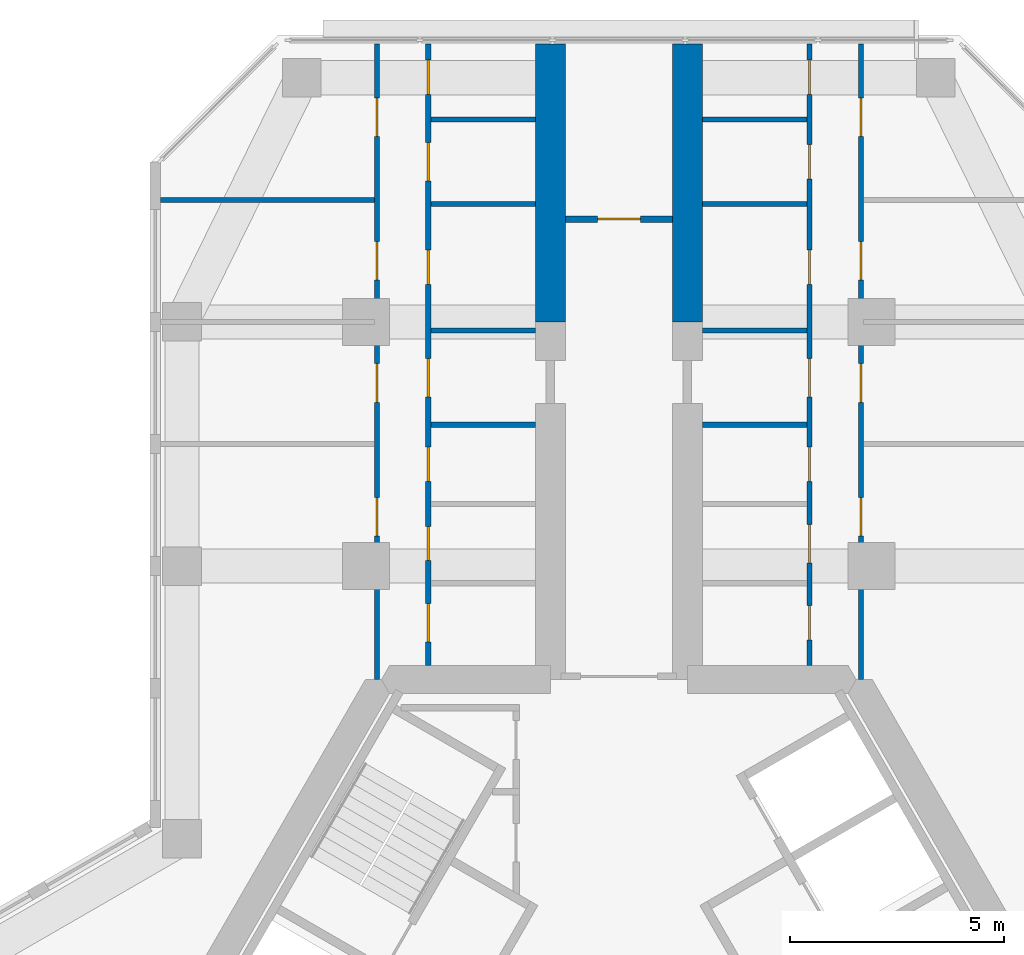
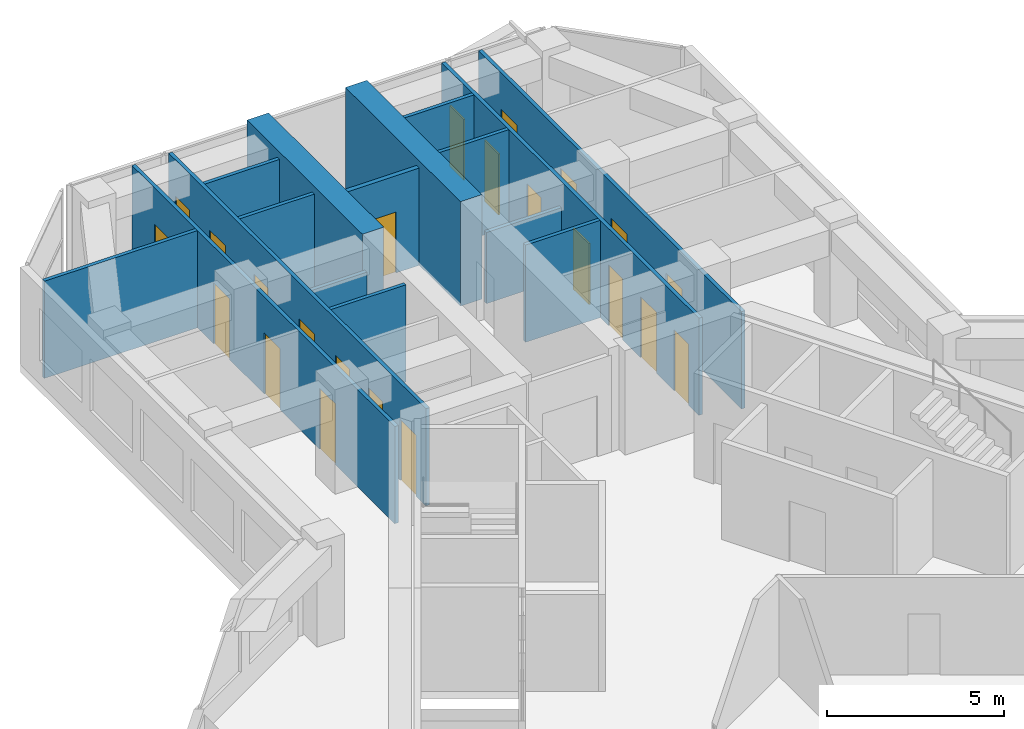
# One storey, part 14 of 16: 23 doors, 16 walls, 23 openings.
"""IFC4 building model written with IfcOpenShell, lengths in metres."""

import ifcopenshell
import ifcopenshell.guid

model = None  # the IFC model being written
_history = None  # IfcOwnerHistory: only IFC2X3 demands one
_inside = {}  # id of a spatial element -> (the spatial element, [elements in it])
_under = {}  # id of a project, library or spatial element -> (it, [spatial elements below it])
_declared = {}  # id of a project -> (the project, [libraries it declares])
_typed = {}  # id of a type object -> (the type object, [elements of that type])
_made_of = {}  # id of a material, layer set ... -> (it, [elements and type objects made of it])


def new_model(schema):
    """Start an empty IFC model of exactly this schema.

    Asked for "IFC4X3", IfcOpenShell would pick the latest addendum, in which some entities
    have other attributes; the version numbers below select the first issue.
    IFC2X3 requires an IfcOwnerHistory on every rooted entity: one is made here for all.
    """
    global model, _history
    if schema == "IFC4X3":
        model = ifcopenshell.file(schema_version=(4, 3, 0, 0))
    else:
        model = ifcopenshell.file(schema=schema)
    _inside.clear()
    _under.clear()
    _declared.clear()
    _typed.clear()
    _made_of.clear()
    _history = None
    if model.schema == "IFC2X3":
        org = make("IfcOrganization", Name="unknown")
        user = make(
            "IfcPersonAndOrganization",
            ThePerson=make("IfcPerson", FamilyName="unknown"),
            TheOrganization=org,
        )
        app = make(
            "IfcApplication",
            ApplicationDeveloper=org,
            Version="unknown",
            ApplicationFullName="unknown",
            ApplicationIdentifier="unknown",
        )
        _history = make(
            "IfcOwnerHistory",
            OwningUser=user,
            OwningApplication=app,
            ChangeAction="ADDED",
            CreationDate=0,
        )
    return model


def make(cls, **values):
    """One entity of the class cls with the attributes given. An attribute that is None is left unset."""
    return model.create_entity(
        cls, **{name: value for name, value in values.items() if value is not None}
    )


def rooted(cls, **values):
    """An entity with a GlobalId (a new one), such as an element, a storey or a relation."""
    return make(cls, GlobalId=ifcopenshell.guid.new(), OwnerHistory=_history, **values)


def si_unit(unit_type, name, prefix=None):
    """IfcSIUnit, for example si_unit("LENGTHUNIT", "METRE", prefix="MILLI")."""
    return make("IfcSIUnit", UnitType=unit_type, Prefix=prefix, Name=name)


def assignment(units):
    """IfcUnitAssignment: the units of a project."""
    return None if units is None else make("IfcUnitAssignment", Units=units)


def point(xyz):
    """IfcCartesianPoint."""
    return None if xyz is None else make("IfcCartesianPoint", Coordinates=xyz)


def direction(xyz):
    """IfcDirection."""
    return None if xyz is None else make("IfcDirection", DirectionRatios=xyz)


def frame(location, z_axis=None, x_axis=None):
    """IfcAxis2Placement3D, a coordinate frame: its origin and axes. An axis left out is left unset."""
    return make(
        "IfcAxis2Placement3D",
        Location=point(location),
        Axis=direction(z_axis),
        RefDirection=direction(x_axis),
    )


def frame_2d(location, x_axis=None):
    """IfcAxis2Placement2D, a coordinate frame in the plane: its origin and x axis."""
    return make(
        "IfcAxis2Placement2D", Location=point(location), RefDirection=direction(x_axis)
    )


def origin():
    """The frame at (0, 0, 0) with its axes left unset."""
    return frame((0.0, 0.0, 0.0))


def place(relative_to, where):
    """IfcLocalPlacement: puts the frame where relative to a parent placement (None: the world)."""
    return make(
        "IfcLocalPlacement", PlacementRelTo=relative_to, RelativePlacement=where
    )


def context(
    kind, dimensions, precision=None, world=None, true_north=None, identifier=None
):
    """IfcGeometricRepresentationContext, for example the 3D "Model" context."""
    return make(
        "IfcGeometricRepresentationContext",
        ContextIdentifier=identifier,
        ContextType=kind,
        CoordinateSpaceDimension=dimensions,
        Precision=precision,
        WorldCoordinateSystem=world,
        TrueNorth=true_north,
    )


def subcontext(parent, identifier, kind, view, scale=None):
    """IfcGeometricRepresentationSubContext, for example "Body" below "Model"."""
    return make(
        "IfcGeometricRepresentationSubContext",
        ContextIdentifier=identifier,
        ContextType=kind,
        ParentContext=parent,
        TargetScale=scale,
        TargetView=view,
    )


def project(units=None, contexts=None):
    """IfcProject with its units and contexts."""
    return rooted(
        "IfcProject",
        Name="project",
        RepresentationContexts=contexts,
        UnitsInContext=assignment(units),
    )


def spatial(cls, under=None, at=None, **own):
    """A site, building, storey or space (cls), placed at a placement, below another one or the project."""
    s = rooted(cls, ObjectPlacement=at, **own)
    if under is not None:
        _under.setdefault(under.id(), (under, []))[1].append(s)
    return s


def profile(cls, at=None, kind="AREA", **sizes):
    """A parametric profile (cls). Its sizes go by their IFC names, for example OverallWidth=200.0."""
    return make(cls, ProfileType=kind, Position=at, **sizes)


def rectangle(**sizes):
    """IfcRectangleProfileDef."""
    return profile("IfcRectangleProfileDef", **sizes)


def extrude(swept, where, along, depth):
    """IfcExtrudedAreaSolid: the profile swept, set in the frame where, extruded along a direction by depth."""
    return make(
        "IfcExtrudedAreaSolid",
        SweptArea=swept,
        Position=where,
        ExtrudedDirection=direction(along),
        Depth=depth,
    )


def shape(context_of_items, identifier, shape_type, items):
    """IfcShapeRepresentation: the items that make up one representation, for example the "Body"."""
    return make(
        "IfcShapeRepresentation",
        ContextOfItems=context_of_items,
        RepresentationIdentifier=identifier,
        RepresentationType=shape_type,
        Items=items,
    )


def material(Name=None, Category=None):
    """IfcMaterial."""
    return make("IfcMaterial", Name=Name, Category=Category)


def layer(
    of_material, thickness, ventilated=None, Name=None, Category=None, Priority=None
):
    """IfcMaterialLayer: one layer of a wall or slab, of a material (None: an air gap)."""
    return make(
        "IfcMaterialLayer",
        Material=of_material,
        LayerThickness=thickness,
        IsVentilated=ventilated,
        Name=Name,
        Category=Category,
        Priority=Priority,
    )


def layer_set(layers, Name=None):
    """IfcMaterialLayerSet."""
    return make("IfcMaterialLayerSet", MaterialLayers=layers, LayerSetName=Name)


def made_of(thing, what):
    """Note that an element or type object is made of a material, layer set ...; save() writes the relation."""
    if what is not None:
        _made_of.setdefault(what.id(), (what, []))[1].append(thing)
    return thing


def type_object(cls, material=None, **own):
    """A type object (cls), such as IfcWallType, which elements share."""
    return made_of(rooted(cls, **own), material)


def element(
    cls,
    number,
    at=None,
    inside=None,
    cuts=None,
    type_object=None,
    material=None,
    context=None,
    identifier="Body",
    shape_type=None,
    held_by="IfcProductDefinitionShape",
    body=None,
    shapes=None,
    **own,
):
    """One element of the class cls, such as IfcWall. Its Tag is "e" and its number.

    at: its placement. inside: the storey or other place that contains it. cuts: it is an
    opening in that element (IfcRelVoidsElement). A single representation is given by context,
    identifier, shape_type and body (its items); several are given by shapes. held_by: the class
    of the entity that holds the representations. save() writes the other relations.
    """
    e = rooted(cls, Tag="e%d" % number, ObjectPlacement=at, **own)
    if body is not None:
        shapes = [shape(context, identifier, shape_type, body)]
    if shapes is not None:
        e.Representation = make(held_by, Representations=shapes)
    if inside is not None:
        _inside.setdefault(inside.id(), (inside, []))[1].append(e)
    if cuts is not None:
        rooted(
            "IfcRelVoidsElement", RelatingBuildingElement=cuts, RelatedOpeningElement=e
        )
    if type_object is not None:
        _typed.setdefault(type_object.id(), (type_object, []))[1].append(e)
    return made_of(e, material)


def fill(opening, filler):
    """IfcRelFillsElement: the door or window that sits in an opening."""
    return rooted(
        "IfcRelFillsElement",
        RelatingOpeningElement=opening,
        RelatedBuildingElement=filler,
    )


def aggregate(whole, parts):
    """IfcRelAggregates: a whole, such as a stair, and the parts it consists of."""
    return rooted("IfcRelAggregates", RelatingObject=whole, RelatedObjects=parts)


def save(model, path):
    """Write the relations noted so far, then the file.

    IfcRelAggregates (storeys below a building ...), IfcRelContainedInSpatialStructure (elements
    in a storey), IfcRelDefinesByType, IfcRelAssociatesMaterial and IfcRelDeclares: one each for
    every whole, place, type object, material and project.
    """
    for whole, parts in _under.values():
        aggregate(whole, parts)
    for where, things in _inside.values():
        rooted(
            "IfcRelContainedInSpatialStructure",
            RelatedElements=things,
            RelatingStructure=where,
        )
    for kind, things in _typed.values():
        rooted("IfcRelDefinesByType", RelatedObjects=things, RelatingType=kind)
    for what, things in _made_of.values():
        rooted("IfcRelAssociatesMaterial", RelatedObjects=things, RelatingMaterial=what)
    for by, libraries in _declared.values():
        rooted("IfcRelDeclares", RelatingContext=by, RelatedDefinitions=libraries)
    model.write(path)


model = new_model("IFC4")

# Units and contexts
model_context = context("Model", 3, precision=1e-05, world=origin(), true_north=direction((0.0, 1.0)))
body_context = subcontext(model_context, "Body", "Model", "MODEL_VIEW")
ifc_project = project(units=[si_unit("LENGTHUNIT", "METRE"), si_unit("AREAUNIT", "SQUARE_METRE"), si_unit("VOLUMEUNIT", "CUBIC_METRE"), si_unit("PLANEANGLEUNIT", "RADIAN"), si_unit("MASSUNIT", "GRAM", prefix="KILO")], contexts=[model_context])

# Site, building, storey
site_placement = place(None, origin())
site = spatial("IfcSite", under=ifc_project, at=site_placement, CompositionType="ELEMENT")
building_placement = place(site_placement, origin())
building = spatial("IfcBuilding", under=site, at=building_placement, Name="Kosmar Iwan School Tower", CompositionType="ELEMENT")
storey_placement = place(building_placement, frame((0.0, 0.0, 204.60009765625)))
storey = spatial("IfcBuildingStorey", under=building, at=storey_placement, Name="L51", CompositionType="ELEMENT", Elevation=204.60009765625)

# Walls
ifc_material_1 = material(Name="Concrete C50/60", Category="concrete")
ifc_layer_1 = layer(ifc_material_1, 0.699951171875)
ifc_layer_set_1 = layer_set([ifc_layer_1], Name="Corridor buttress wall 700")
wall_type_1 = type_object("IfcWallType", Name="Corridor buttress wall 700", PredefinedType="SHEAR", material=ifc_layer_set_1)
for number, where, z_axis, x_axis, name in (
    (1, (-1.60009765625, 17.949951171875, 0.0), (0.0, 0.0, 1.0), (0.0, 1.0, 0.0), "Corridor wall AL bay 2"),
    (2, (1.60009765625, 17.949951171875, 0.0), (0.0, 0.0, 1.0), (0.0, 1.0, 0.0), "Corridor wall AR bay 2"),
):
    element("IfcWall", number, at=place(storey_placement, frame(where, z_axis=z_axis, x_axis=x_axis)), inside=storey, type_object=wall_type_1, Name=name, PredefinedType="SHEAR", context=body_context, shape_type="SweptSolid", body=[
        extrude(rectangle(XDim=6.4951171875, YDim=0.699951171875, at=frame_2d((3.24755859375, 0.0))), origin(), (0.0, 0.0, 1.0), 3.599853515625),
    ])

# Wall, opening, door
ifc_material_2 = material(Name="Gypsum board on steel studs, fire-rated", Category="steel")
ifc_layer_2 = layer(ifc_material_2, 0.14990234375)
ifc_layer_set_2 = layer_set([ifc_layer_2], Name="Corridor end wall 150")
wall_type_2 = type_object("IfcWallType", Name="Corridor end wall 150", PredefinedType="PARTITIONING", material=ifc_layer_set_2)
wall_1_placement = place(storey_placement, frame((1.25, 20.35009765625, 0.0), z_axis=(0.0, 0.0, 1.0), x_axis=(-1.0, 0.0, 0.0)))
wall_1 = element("IfcWall", 3, at=wall_1_placement, inside=storey, type_object=wall_type_2, Name="Partition L51-A-CE", PredefinedType="PARTITIONING", context=body_context, shape_type="SweptSolid", body=[
    extrude(rectangle(XDim=2.5, YDim=0.14990234375, at=frame_2d((1.25, 0.0))), origin(), (0.0, 0.0, 1.0), 3.349853515625),
])
opening_1_placement = place(wall_1_placement, frame((0.75, 0.0, 0.0)))
opening_1 = element("IfcOpeningElement", 4, at=opening_1_placement, cuts=wall_1, Name="Opening D13", PredefinedType="OPENING", context=body_context, shape_type="SweptSolid", body=[
    extrude(rectangle(XDim=1.0, YDim=2.10009765625, at=frame_2d((0.5, 1.050048828125))), frame((0.0, 0.0869140625, 0.0), z_axis=(0.0, -1.0, 0.0), x_axis=(1.0, 0.0, 0.0)), (0.0, 0.0, 1.0), 0.173828125),
])
ifc_material_3 = material(Name="Timber fire door with vision panel", Category="wood")
door_type_1 = type_object("IfcDoorType", Name="Corridor end door 1000x2100", OperationType="SINGLE_SWING_LEFT", PredefinedType="DOOR", material=ifc_material_3)
door_1_placement = place(opening_1_placement, origin())
door_1 = element("IfcDoor", 5, at=door_1_placement, inside=storey, type_object=door_type_1, Name="Reading room door L51-A", OperationType="SINGLE_SWING_LEFT", OverallHeight=2.10009765625, OverallWidth=1.0, PredefinedType="DOOR", context=body_context, shape_type="SweptSolid", body=[
    extrude(rectangle(XDim=1.0, YDim=2.10009765625, at=frame_2d((0.5, 1.050048828125))), frame((0.0, 0.02490234375, 0.0), z_axis=(0.0, -1.0, 0.0), x_axis=(1.0, 0.0, 0.0)), (0.0, 0.0, 1.0), 0.050048828125),
])
fill(opening_1, door_1)

# Wall, openings, doors
ifc_material_4 = material(Name="Gypsum board on steel studs", Category="steel")
ifc_layer_3 = layer(ifc_material_4, 0.1201171875)
ifc_layer_set_3 = layer_set([ifc_layer_3], Name="Dwelling partition 120")
wall_type_3 = type_object("IfcWallType", Name="Dwelling partition 120", PredefinedType="PARTITIONING", material=ifc_layer_set_3)
wall_2_placement = place(storey_placement, frame((-4.449951171875, 9.925048828125, 0.0), z_axis=(0.0, 0.0, 1.0), x_axis=(0.0, 1.0, 0.0)))
wall_2 = element("IfcWall", 6, at=wall_2_placement, inside=storey, type_object=wall_type_3, Name="Partition L51-AL1-W1", PredefinedType="PARTITIONING", context=body_context, shape_type="SweptSolid", body=[
    extrude(rectangle(XDim=14.52001953125, YDim=0.1201171875, at=frame_2d((7.260009765625, 0.0))), origin(), (0.0, 0.0, 1.0), 3.349853515625),
])
opening_2_placement = place(wall_2_placement, frame((0.550048828125, 0.0, 0.0)))
opening_2 = element("IfcOpeningElement", 7, at=opening_2_placement, cuts=wall_2, Name="Opening D2", PredefinedType="OPENING", context=body_context, shape_type="SweptSolid", body=[
    extrude(rectangle(XDim=0.89990234375, YDim=2.10009765625, at=frame_2d((0.449951171875, 1.050048828125))), frame((0.0, 0.072021484375, 0.0), z_axis=(0.0, -1.0, 0.0), x_axis=(1.0, 0.0, 0.0)), (0.0, 0.0, 1.0), 0.14404296875),
])
opening_3_placement = place(wall_2_placement, frame((2.449951171875, 0.0, 0.0)))
opening_3 = element("IfcOpeningElement", 8, at=opening_3_placement, cuts=wall_2, Name="Opening D3", PredefinedType="OPENING", context=body_context, shape_type="SweptSolid", body=[
    extrude(rectangle(XDim=0.800048828125, YDim=2.10009765625, at=frame_2d((0.39990234375, 1.050048828125))), frame((0.0, 0.072021484375, 0.0), z_axis=(0.0, -1.0, 0.0), x_axis=(1.0, 0.0, 0.0)), (0.0, 0.0, 1.0), 0.14404296875),
])
opening_4_placement = place(wall_2_placement, frame((4.300048828125, 0.0, 0.0)))
opening_4 = element("IfcOpeningElement", 9, at=opening_4_placement, cuts=wall_2, Name="Opening D3", PredefinedType="OPENING", context=body_context, shape_type="SweptSolid", body=[
    extrude(rectangle(XDim=0.800048828125, YDim=2.10009765625, at=frame_2d((0.39990234375, 1.050048828125))), frame((0.0, 0.072021484375, 0.0), z_axis=(0.0, -1.0, 0.0), x_axis=(1.0, 0.0, 0.0)), (0.0, 0.0, 1.0), 0.14404296875),
])
opening_5_placement = place(wall_2_placement, frame((6.27490234375, 0.0, 0.0)))
opening_5 = element("IfcOpeningElement", 10, at=opening_5_placement, cuts=wall_2, Name="Opening D2", PredefinedType="OPENING", context=body_context, shape_type="SweptSolid", body=[
    extrude(rectangle(XDim=0.89990234375, YDim=2.10009765625, at=frame_2d((0.449951171875, 1.050048828125))), frame((0.0, 0.072021484375, 0.0), z_axis=(0.0, -1.0, 0.0), x_axis=(1.0, 0.0, 0.0)), (0.0, 0.0, 1.0), 0.14404296875),
])
opening_6_placement = place(wall_2_placement, frame((8.903564453125, 0.0, 0.0)))
opening_6 = element("IfcOpeningElement", 11, at=opening_6_placement, cuts=wall_2, Name="Opening D3", PredefinedType="OPENING", context=body_context, shape_type="SweptSolid", body=[
    extrude(rectangle(XDim=0.800048828125, YDim=2.10009765625, at=frame_2d((0.39990234375, 1.050048828125))), frame((0.0, 0.072021484375, 0.0), z_axis=(0.0, -1.0, 0.0), x_axis=(1.0, 0.0, 0.0)), (0.0, 0.0, 1.0), 0.14404296875),
])
opening_7_placement = place(wall_2_placement, frame((11.31787109375, 0.0, 0.0)))
opening_7 = element("IfcOpeningElement", 12, at=opening_7_placement, cuts=wall_2, Name="Opening D2", PredefinedType="OPENING", context=body_context, shape_type="SweptSolid", body=[
    extrude(rectangle(XDim=0.89990234375, YDim=2.10009765625, at=frame_2d((0.449951171875, 1.050048828125))), frame((0.0, 0.072021484375, 0.0), z_axis=(0.0, -1.0, 0.0), x_axis=(1.0, 0.0, 0.0)), (0.0, 0.0, 1.0), 0.14404296875),
])
opening_8_placement = place(wall_2_placement, frame((13.33935546875, 0.0, 0.0)))
opening_8 = element("IfcOpeningElement", 13, at=opening_8_placement, cuts=wall_2, Name="Opening D3", PredefinedType="OPENING", context=body_context, shape_type="SweptSolid", body=[
    extrude(rectangle(XDim=0.800048828125, YDim=2.10009765625, at=frame_2d((0.39990234375, 1.050048828125))), frame((0.0, 0.072021484375, 0.0), z_axis=(0.0, -1.0, 0.0), x_axis=(1.0, 0.0, 0.0)), (0.0, 0.0, 1.0), 0.14404296875),
])
ifc_material_5 = material(Name="Timber door in timber frame", Category="wood")
door_type_2 = type_object("IfcDoorType", Name="Internal door 900x2100", OperationType="SINGLE_SWING_LEFT", PredefinedType="DOOR", material=ifc_material_5)
door_2_placement = place(opening_2_placement, origin())
door_2 = element("IfcDoor", 14, at=door_2_placement, inside=storey, type_object=door_type_2, Name="Utility room door L51-AL1-S1", OperationType="SINGLE_SWING_LEFT", OverallHeight=2.10009765625, OverallWidth=0.89990234375, PredefinedType="DOOR", context=body_context, shape_type="SweptSolid", body=[
    extrude(rectangle(XDim=0.89990234375, YDim=2.10009765625, at=frame_2d((0.449951171875, 1.050048828125))), frame((0.0, 0.02490234375, 0.0), z_axis=(0.0, -1.0, 0.0), x_axis=(1.0, 0.0, 0.0)), (0.0, 0.0, 1.0), 0.050048828125),
])
fill(opening_2, door_2)
door_3_placement = place(opening_5_placement, origin())
door_3 = element("IfcDoor", 15, at=door_3_placement, inside=storey, type_object=door_type_2, Name="Entrance hall door L51-AL1-S4", OperationType="SINGLE_SWING_LEFT", OverallHeight=2.10009765625, OverallWidth=0.89990234375, PredefinedType="DOOR", context=body_context, shape_type="SweptSolid", body=[
    extrude(rectangle(XDim=0.89990234375, YDim=2.10009765625, at=frame_2d((0.449951171875, 1.050048828125))), frame((0.0, 0.02490234375, 0.0), z_axis=(0.0, -1.0, 0.0), x_axis=(1.0, 0.0, 0.0)), (0.0, 0.0, 1.0), 0.050048828125),
])
fill(opening_5, door_3)
door_4_placement = place(opening_7_placement, origin())
door_4 = element("IfcDoor", 16, at=door_4_placement, inside=storey, type_object=door_type_2, Name="Pantry door L51-AL1-S6", OperationType="SINGLE_SWING_RIGHT", OverallHeight=2.10009765625, OverallWidth=0.89990234375, PredefinedType="DOOR", context=body_context, shape_type="SweptSolid", body=[
    extrude(rectangle(XDim=0.89990234375, YDim=2.10009765625, at=frame_2d((0.449951171875, 1.050048828125))), frame((0.0, 0.02490234375, 0.0), z_axis=(0.0, -1.0, 0.0), x_axis=(1.0, 0.0, 0.0)), (0.0, 0.0, 1.0), 0.050048828125),
])
fill(opening_7, door_4)
ifc_material_6 = material(Name="Timber door in timber frame", Category="wood")
door_type_3 = type_object("IfcDoorType", Name="Sanitary room door 800x2100", OperationType="SINGLE_SWING_LEFT", PredefinedType="DOOR", material=ifc_material_6)
door_5_placement = place(opening_3_placement, origin())
door_5 = element("IfcDoor", 17, at=door_5_placement, inside=storey, type_object=door_type_3, Name="WC door L51-AL1-S2", OperationType="SINGLE_SWING_LEFT", OverallHeight=2.10009765625, OverallWidth=0.800048828125, PredefinedType="DOOR", context=body_context, shape_type="SweptSolid", body=[
    extrude(rectangle(XDim=0.800048828125, YDim=2.10009765625, at=frame_2d((0.39990234375, 1.050048828125))), frame((0.0, 0.02490234375, 0.0), z_axis=(0.0, -1.0, 0.0), x_axis=(1.0, 0.0, 0.0)), (0.0, 0.0, 1.0), 0.050048828125),
])
fill(opening_3, door_5)
door_6_placement = place(opening_4_placement, origin())
door_6 = element("IfcDoor", 18, at=door_6_placement, inside=storey, type_object=door_type_3, Name="Shower room door L51-AL1-S3", OperationType="SINGLE_SWING_LEFT", OverallHeight=2.10009765625, OverallWidth=0.800048828125, PredefinedType="DOOR", context=body_context, shape_type="SweptSolid", body=[
    extrude(rectangle(XDim=0.800048828125, YDim=2.10009765625, at=frame_2d((0.39990234375, 1.050048828125))), frame((0.0, 0.02490234375, 0.0), z_axis=(0.0, -1.0, 0.0), x_axis=(1.0, 0.0, 0.0)), (0.0, 0.0, 1.0), 0.050048828125),
])
fill(opening_4, door_6)
door_7_placement = place(opening_6_placement, origin())
door_7 = element("IfcDoor", 19, at=door_7_placement, inside=storey, type_object=door_type_3, Name="Bathroom door L51-AL1-S5", OperationType="SINGLE_SWING_RIGHT", OverallHeight=2.10009765625, OverallWidth=0.800048828125, PredefinedType="DOOR", context=body_context, shape_type="SweptSolid", body=[
    extrude(rectangle(XDim=0.800048828125, YDim=2.10009765625, at=frame_2d((0.39990234375, 1.050048828125))), frame((0.0, 0.02490234375, 0.0), z_axis=(0.0, -1.0, 0.0), x_axis=(1.0, 0.0, 0.0)), (0.0, 0.0, 1.0), 0.050048828125),
])
fill(opening_6, door_7)
door_8_placement = place(opening_8_placement, origin())
door_8 = element("IfcDoor", 20, at=door_8_placement, inside=storey, type_object=door_type_3, Name="Store door L51-AL1-S7", OperationType="SINGLE_SWING_RIGHT", OverallHeight=2.10009765625, OverallWidth=0.800048828125, PredefinedType="DOOR", context=body_context, shape_type="SweptSolid", body=[
    extrude(rectangle(XDim=0.800048828125, YDim=2.10009765625, at=frame_2d((0.39990234375, 1.050048828125))), frame((0.0, 0.02490234375, 0.0), z_axis=(0.0, -1.0, 0.0), x_axis=(1.0, 0.0, 0.0)), (0.0, 0.0, 1.0), 0.050048828125),
])
fill(opening_8, door_8)

wall_3_placement = place(storey_placement, frame((-5.64990234375, 9.60009765625, 0.0), z_axis=(0.0, 0.0, 1.0), x_axis=(0.0, 1.0, 0.0)))
wall_3 = element("IfcWall", 21, at=wall_3_placement, inside=storey, type_object=wall_type_3, Name="Partition L51-AL1-W2", PredefinedType="PARTITIONING", context=body_context, shape_type="SweptSolid", body=[
    extrude(rectangle(XDim=14.844970703125, YDim=0.1201171875, at=frame_2d((7.42236328125, 0.0))), origin(), (0.0, 0.0, 1.0), 3.349853515625),
])
opening_9_placement = place(wall_3_placement, frame((3.35009765625, 0.0, 0.0)))
opening_9 = element("IfcOpeningElement", 22, at=opening_9_placement, cuts=wall_3, Name="Opening D2", PredefinedType="OPENING", context=body_context, shape_type="SweptSolid", body=[
    extrude(rectangle(XDim=0.89990234375, YDim=2.10009765625, at=frame_2d((0.449951171875, 1.050048828125))), frame((0.0, 0.072021484375, 0.0), z_axis=(0.0, -1.0, 0.0), x_axis=(1.0, 0.0, 0.0)), (0.0, 0.0, 1.0), 0.14404296875),
])
opening_10_placement = place(wall_3_placement, frame((6.47509765625, 0.0, 0.0)))
opening_10 = element("IfcOpeningElement", 23, at=opening_10_placement, cuts=wall_3, Name="Opening D2", PredefinedType="OPENING", context=body_context, shape_type="SweptSolid", body=[
    extrude(rectangle(XDim=0.89990234375, YDim=2.10009765625, at=frame_2d((0.449951171875, 1.050048828125))), frame((0.0, 0.072021484375, 0.0), z_axis=(0.0, -1.0, 0.0), x_axis=(1.0, 0.0, 0.0)), (0.0, 0.0, 1.0), 0.14404296875),
])
opening_11_placement = place(wall_3_placement, frame((9.324951171875, 0.0, 0.0)))
opening_11 = element("IfcOpeningElement", 24, at=opening_11_placement, cuts=wall_3, Name="Opening D2", PredefinedType="OPENING", context=body_context, shape_type="SweptSolid", body=[
    extrude(rectangle(XDim=0.89990234375, YDim=2.10009765625, at=frame_2d((0.449951171875, 1.050048828125))), frame((0.0, 0.072021484375, 0.0), z_axis=(0.0, -1.0, 0.0), x_axis=(1.0, 0.0, 0.0)), (0.0, 0.0, 1.0), 0.14404296875),
])
opening_12_placement = place(wall_3_placement, frame((12.675048828125, 0.0, 0.0)))
opening_12 = element("IfcOpeningElement", 25, at=opening_12_placement, cuts=wall_3, Name="Opening D2", PredefinedType="OPENING", context=body_context, shape_type="SweptSolid", body=[
    extrude(rectangle(XDim=0.89990234375, YDim=2.10009765625, at=frame_2d((0.449951171875, 1.050048828125))), frame((0.0, 0.072021484375, 0.0), z_axis=(0.0, -1.0, 0.0), x_axis=(1.0, 0.0, 0.0)), (0.0, 0.0, 1.0), 0.14404296875),
])
door_9_placement = place(opening_9_placement, origin())
door_9 = element("IfcDoor", 26, at=door_9_placement, inside=storey, type_object=door_type_2, Name="Family room and kitchen door L51-AL1-F1", OperationType="SINGLE_SWING_RIGHT", OverallHeight=2.10009765625, OverallWidth=0.89990234375, PredefinedType="DOOR", context=body_context, shape_type="SweptSolid", body=[
    extrude(rectangle(XDim=0.89990234375, YDim=2.10009765625, at=frame_2d((0.449951171875, 1.050048828125))), frame((0.0, 0.02490234375, 0.0), z_axis=(0.0, -1.0, 0.0), x_axis=(1.0, 0.0, 0.0)), (0.0, 0.0, 1.0), 0.050048828125),
])
fill(opening_9, door_9)
door_10_placement = place(opening_10_placement, origin())
door_10 = element("IfcDoor", 27, at=door_10_placement, inside=storey, type_object=door_type_2, Name="Bedroom 1 door L51-AL1-F2", OperationType="SINGLE_SWING_RIGHT", OverallHeight=2.10009765625, OverallWidth=0.89990234375, PredefinedType="DOOR", context=body_context, shape_type="SweptSolid", body=[
    extrude(rectangle(XDim=0.89990234375, YDim=2.10009765625, at=frame_2d((0.449951171875, 1.050048828125))), frame((0.0, 0.02490234375, 0.0), z_axis=(0.0, -1.0, 0.0), x_axis=(1.0, 0.0, 0.0)), (0.0, 0.0, 1.0), 0.050048828125),
])
fill(opening_10, door_10)
door_11_placement = place(opening_11_placement, origin())
door_11 = element("IfcDoor", 28, at=door_11_placement, inside=storey, type_object=door_type_2, Name="Bedroom 2 door L51-AL1-F3", OperationType="SINGLE_SWING_LEFT", OverallHeight=2.10009765625, OverallWidth=0.89990234375, PredefinedType="DOOR", context=body_context, shape_type="SweptSolid", body=[
    extrude(rectangle(XDim=0.89990234375, YDim=2.10009765625, at=frame_2d((0.449951171875, 1.050048828125))), frame((0.0, 0.02490234375, 0.0), z_axis=(0.0, -1.0, 0.0), x_axis=(1.0, 0.0, 0.0)), (0.0, 0.0, 1.0), 0.050048828125),
])
fill(opening_11, door_11)
door_12_placement = place(opening_12_placement, origin())
door_12 = element("IfcDoor", 29, at=door_12_placement, inside=storey, type_object=door_type_2, Name="Bedroom 3 door L51-AL1-F4", OperationType="SINGLE_SWING_RIGHT", OverallHeight=2.10009765625, OverallWidth=0.89990234375, PredefinedType="DOOR", context=body_context, shape_type="SweptSolid", body=[
    extrude(rectangle(XDim=0.89990234375, YDim=2.10009765625, at=frame_2d((0.449951171875, 1.050048828125))), frame((0.0, 0.02490234375, 0.0), z_axis=(0.0, -1.0, 0.0), x_axis=(1.0, 0.0, 0.0)), (0.0, 0.0, 1.0), 0.050048828125),
])
fill(opening_12, door_12)

# Walls
wall_4_placement = place(storey_placement, frame((-5.7099609375, 20.800048828125, 0.0), z_axis=(0.0, 0.0, 1.0), x_axis=(-1.0, 0.0, 0.0)))
element("IfcWall", 30, at=wall_4_placement, inside=storey, type_object=wall_type_3, Name="Partition L51-AL1-X3", PredefinedType="PARTITIONING", context=body_context, shape_type="SweptSolid", body=[
    extrude(rectangle(XDim=4.989990234375, YDim=0.1201171875, at=frame_2d((2.4951171875, 0.0))), origin(), (0.0, 0.0, 1.0), 3.349853515625),
])
wall_5_placement = place(storey_placement, frame((-1.949951171875, 15.550048828125, 0.0), z_axis=(0.0, 0.0, 1.0), x_axis=(-1.0, 0.0, 0.0)))
element("IfcWall", 31, at=wall_5_placement, inside=storey, type_object=wall_type_3, Name="Partition L51-AL1-Y3", PredefinedType="PARTITIONING", context=body_context, shape_type="SweptSolid", body=[
    extrude(rectangle(XDim=2.43994140625, YDim=0.1201171875, at=frame_2d((1.219970703125, 0.0))), origin(), (0.0, 0.0, 1.0), 3.349853515625),
])
wall_6_placement = place(storey_placement, frame((-1.949951171875, 17.75, 0.0), z_axis=(0.0, 0.0, 1.0), x_axis=(-1.0, 0.0, 0.0)))
element("IfcWall", 32, at=wall_6_placement, inside=storey, type_object=wall_type_3, Name="Partition L51-AL1-Y4", PredefinedType="PARTITIONING", context=body_context, shape_type="SweptSolid", body=[
    extrude(rectangle(XDim=2.43994140625, YDim=0.1201171875, at=frame_2d((1.219970703125, 0.0))), origin(), (0.0, 0.0, 1.0), 2.449951171875),
])
for number, where, z_axis, x_axis, name in (
    (33, (-1.949951171875, 20.70703125, 0.0), (0.0, 0.0, 1.0), (-1.0, 0.0, 0.0), "Partition L51-AL1-Y5"),
    (34, (-1.949951171875, 22.678466796875, 0.0), (0.0, 0.0, 1.0), (-1.0, 0.0, 0.0), "Partition L51-AL1-Y6"),
):
    element("IfcWall", number, at=place(storey_placement, frame(where, z_axis=z_axis, x_axis=x_axis)), inside=storey, type_object=wall_type_3, Name=name, PredefinedType="PARTITIONING", context=body_context, shape_type="SweptSolid", body=[
        extrude(rectangle(XDim=2.43994140625, YDim=0.1201171875, at=frame_2d((1.219970703125, 0.0))), origin(), (0.0, 0.0, 1.0), 3.349853515625),
    ])

# Wall, openings, doors
wall_7_placement = place(storey_placement, frame((4.449951171875, 9.925048828125, 0.0), z_axis=(0.0, 0.0, 1.0), x_axis=(0.0, 1.0, 0.0)))
wall_7 = element("IfcWall", 35, at=wall_7_placement, inside=storey, type_object=wall_type_3, Name="Partition L51-AR1-W1", PredefinedType="PARTITIONING", context=body_context, shape_type="SweptSolid", body=[
    extrude(rectangle(XDim=14.52001953125, YDim=0.1201171875, at=frame_2d((7.260009765625, 0.0))), origin(), (0.0, 0.0, 1.0), 3.349853515625),
])
opening_13_placement = place(wall_7_placement, frame((0.60009765625, 0.0, 0.0)))
opening_13 = element("IfcOpeningElement", 36, at=opening_13_placement, cuts=wall_7, Name="Opening D3", PredefinedType="OPENING", context=body_context, shape_type="SweptSolid", body=[
    extrude(rectangle(XDim=0.800048828125, YDim=2.10009765625, at=frame_2d((0.39990234375, 1.050048828125))), frame((0.0, 0.072021484375, 0.0), z_axis=(0.0, -1.0, 0.0), x_axis=(1.0, 0.0, 0.0)), (0.0, 0.0, 1.0), 0.14404296875),
])
opening_14_placement = place(wall_7_placement, frame((2.39990234375, 0.0, 0.0)))
opening_14 = element("IfcOpeningElement", 37, at=opening_14_placement, cuts=wall_7, Name="Opening D2", PredefinedType="OPENING", context=body_context, shape_type="SweptSolid", body=[
    extrude(rectangle(XDim=0.89990234375, YDim=2.10009765625, at=frame_2d((0.449951171875, 1.050048828125))), frame((0.0, 0.072021484375, 0.0), z_axis=(0.0, -1.0, 0.0), x_axis=(1.0, 0.0, 0.0)), (0.0, 0.0, 1.0), 0.14404296875),
])
opening_15_placement = place(wall_7_placement, frame((4.300048828125, 0.0, 0.0)))
opening_15 = element("IfcOpeningElement", 38, at=opening_15_placement, cuts=wall_7, Name="Opening D3", PredefinedType="OPENING", context=body_context, shape_type="SweptSolid", body=[
    extrude(rectangle(XDim=0.800048828125, YDim=2.10009765625, at=frame_2d((0.39990234375, 1.050048828125))), frame((0.0, 0.072021484375, 0.0), z_axis=(0.0, -1.0, 0.0), x_axis=(1.0, 0.0, 0.0)), (0.0, 0.0, 1.0), 0.14404296875),
])
opening_16_placement = place(wall_7_placement, frame((6.27490234375, 0.0, 0.0)))
opening_16 = element("IfcOpeningElement", 39, at=opening_16_placement, cuts=wall_7, Name="Opening D2", PredefinedType="OPENING", context=body_context, shape_type="SweptSolid", body=[
    extrude(rectangle(XDim=0.89990234375, YDim=2.10009765625, at=frame_2d((0.449951171875, 1.050048828125))), frame((0.0, 0.072021484375, 0.0), z_axis=(0.0, -1.0, 0.0), x_axis=(1.0, 0.0, 0.0)), (0.0, 0.0, 1.0), 0.14404296875),
])
opening_17_placement = place(wall_7_placement, frame((8.903564453125, 0.0, 0.0)))
opening_17 = element("IfcOpeningElement", 40, at=opening_17_placement, cuts=wall_7, Name="Opening D3", PredefinedType="OPENING", context=body_context, shape_type="SweptSolid", body=[
    extrude(rectangle(XDim=0.800048828125, YDim=2.10009765625, at=frame_2d((0.39990234375, 1.050048828125))), frame((0.0, 0.072021484375, 0.0), z_axis=(0.0, -1.0, 0.0), x_axis=(1.0, 0.0, 0.0)), (0.0, 0.0, 1.0), 0.14404296875),
])
opening_18_placement = place(wall_7_placement, frame((11.367919921875, 0.0, 0.0)))
opening_18 = element("IfcOpeningElement", 41, at=opening_18_placement, cuts=wall_7, Name="Opening D3", PredefinedType="OPENING", context=body_context, shape_type="SweptSolid", body=[
    extrude(rectangle(XDim=0.800048828125, YDim=2.10009765625, at=frame_2d((0.39990234375, 1.050048828125))), frame((0.0, 0.072021484375, 0.0), z_axis=(0.0, -1.0, 0.0), x_axis=(1.0, 0.0, 0.0)), (0.0, 0.0, 1.0), 0.14404296875),
])
opening_19_placement = place(wall_7_placement, frame((13.33935546875, 0.0, 0.0)))
opening_19 = element("IfcOpeningElement", 42, at=opening_19_placement, cuts=wall_7, Name="Opening D3", PredefinedType="OPENING", context=body_context, shape_type="SweptSolid", body=[
    extrude(rectangle(XDim=0.800048828125, YDim=2.10009765625, at=frame_2d((0.39990234375, 1.050048828125))), frame((0.0, 0.072021484375, 0.0), z_axis=(0.0, -1.0, 0.0), x_axis=(1.0, 0.0, 0.0)), (0.0, 0.0, 1.0), 0.14404296875),
])
door_13_placement = place(opening_14_placement, origin())
door_13 = element("IfcDoor", 43, at=door_13_placement, inside=storey, type_object=door_type_2, Name="Pantry door L51-AR1-S2", OperationType="SINGLE_SWING_RIGHT", OverallHeight=2.10009765625, OverallWidth=0.89990234375, PredefinedType="DOOR", context=body_context, shape_type="SweptSolid", body=[
    extrude(rectangle(XDim=0.89990234375, YDim=2.10009765625, at=frame_2d((0.449951171875, 1.050048828125))), frame((0.0, 0.02490234375, 0.0), z_axis=(0.0, -1.0, 0.0), x_axis=(1.0, 0.0, 0.0)), (0.0, 0.0, 1.0), 0.050048828125),
])
fill(opening_14, door_13)
door_14_placement = place(opening_16_placement, origin())
door_14 = element("IfcDoor", 44, at=door_14_placement, inside=storey, type_object=door_type_2, Name="Entrance hall door L51-AR1-S4", OperationType="SINGLE_SWING_RIGHT", OverallHeight=2.10009765625, OverallWidth=0.89990234375, PredefinedType="DOOR", context=body_context, shape_type="SweptSolid", body=[
    extrude(rectangle(XDim=0.89990234375, YDim=2.10009765625, at=frame_2d((0.449951171875, 1.050048828125))), frame((0.0, 0.02490234375, 0.0), z_axis=(0.0, -1.0, 0.0), x_axis=(1.0, 0.0, 0.0)), (0.0, 0.0, 1.0), 0.050048828125),
])
fill(opening_16, door_14)
door_15_placement = place(opening_13_placement, origin())
door_15 = element("IfcDoor", 45, at=door_15_placement, inside=storey, type_object=door_type_3, Name="Store door L51-AR1-S1", OperationType="SINGLE_SWING_LEFT", OverallHeight=2.10009765625, OverallWidth=0.800048828125, PredefinedType="DOOR", context=body_context, shape_type="SweptSolid", body=[
    extrude(rectangle(XDim=0.800048828125, YDim=2.10009765625, at=frame_2d((0.39990234375, 1.050048828125))), frame((0.0, 0.02490234375, 0.0), z_axis=(0.0, -1.0, 0.0), x_axis=(1.0, 0.0, 0.0)), (0.0, 0.0, 1.0), 0.050048828125),
])
fill(opening_13, door_15)
door_16_placement = place(opening_15_placement, origin())
door_16 = element("IfcDoor", 46, at=door_16_placement, inside=storey, type_object=door_type_3, Name="Grandparents' shower room door L51-AR1-S3", OperationType="SINGLE_SWING_LEFT", OverallHeight=2.10009765625, OverallWidth=0.800048828125, PredefinedType="DOOR", context=body_context, shape_type="SweptSolid", body=[
    extrude(rectangle(XDim=0.800048828125, YDim=2.10009765625, at=frame_2d((0.39990234375, 1.050048828125))), frame((0.0, 0.02490234375, 0.0), z_axis=(0.0, -1.0, 0.0), x_axis=(1.0, 0.0, 0.0)), (0.0, 0.0, 1.0), 0.050048828125),
])
fill(opening_15, door_16)
door_17_placement = place(opening_17_placement, origin())
door_17 = element("IfcDoor", 47, at=door_17_placement, inside=storey, type_object=door_type_3, Name="Bathroom door L51-AR1-S5", OperationType="SINGLE_SWING_LEFT", OverallHeight=2.10009765625, OverallWidth=0.800048828125, PredefinedType="DOOR", context=body_context, shape_type="SweptSolid", body=[
    extrude(rectangle(XDim=0.800048828125, YDim=2.10009765625, at=frame_2d((0.39990234375, 1.050048828125))), frame((0.0, 0.02490234375, 0.0), z_axis=(0.0, -1.0, 0.0), x_axis=(1.0, 0.0, 0.0)), (0.0, 0.0, 1.0), 0.050048828125),
])
fill(opening_17, door_17)
door_18_placement = place(opening_18_placement, origin())
door_18 = element("IfcDoor", 48, at=door_18_placement, inside=storey, type_object=door_type_3, Name="Shower room door L51-AR1-S6", OperationType="SINGLE_SWING_RIGHT", OverallHeight=2.10009765625, OverallWidth=0.800048828125, PredefinedType="DOOR", context=body_context, shape_type="SweptSolid", body=[
    extrude(rectangle(XDim=0.800048828125, YDim=2.10009765625, at=frame_2d((0.39990234375, 1.050048828125))), frame((0.0, 0.02490234375, 0.0), z_axis=(0.0, -1.0, 0.0), x_axis=(1.0, 0.0, 0.0)), (0.0, 0.0, 1.0), 0.050048828125),
])
fill(opening_18, door_18)
door_19_placement = place(opening_19_placement, origin())
door_19 = element("IfcDoor", 49, at=door_19_placement, inside=storey, type_object=door_type_3, Name="WC door L51-AR1-S7", OperationType="SINGLE_SWING_RIGHT", OverallHeight=2.10009765625, OverallWidth=0.800048828125, PredefinedType="DOOR", context=body_context, shape_type="SweptSolid", body=[
    extrude(rectangle(XDim=0.800048828125, YDim=2.10009765625, at=frame_2d((0.39990234375, 1.050048828125))), frame((0.0, 0.02490234375, 0.0), z_axis=(0.0, -1.0, 0.0), x_axis=(1.0, 0.0, 0.0)), (0.0, 0.0, 1.0), 0.050048828125),
])
fill(opening_19, door_19)

wall_8_placement = place(storey_placement, frame((5.64990234375, 9.60009765625, 0.0), z_axis=(0.0, 0.0, 1.0), x_axis=(0.0, 1.0, 0.0)))
wall_8 = element("IfcWall", 50, at=wall_8_placement, inside=storey, type_object=wall_type_3, Name="Partition L51-AR1-W2", PredefinedType="PARTITIONING", context=body_context, shape_type="SweptSolid", body=[
    extrude(rectangle(XDim=14.844970703125, YDim=0.1201171875, at=frame_2d((7.42236328125, 0.0))), origin(), (0.0, 0.0, 1.0), 3.349853515625),
])
opening_20_placement = place(wall_8_placement, frame((3.35009765625, 0.0, 0.0)))
opening_20 = element("IfcOpeningElement", 51, at=opening_20_placement, cuts=wall_8, Name="Opening D2", PredefinedType="OPENING", context=body_context, shape_type="SweptSolid", body=[
    extrude(rectangle(XDim=0.89990234375, YDim=2.10009765625, at=frame_2d((0.449951171875, 1.050048828125))), frame((0.0, 0.072021484375, 0.0), z_axis=(0.0, -1.0, 0.0), x_axis=(1.0, 0.0, 0.0)), (0.0, 0.0, 1.0), 0.14404296875),
])
opening_21_placement = place(wall_8_placement, frame((6.47509765625, 0.0, 0.0)))
opening_21 = element("IfcOpeningElement", 52, at=opening_21_placement, cuts=wall_8, Name="Opening D2", PredefinedType="OPENING", context=body_context, shape_type="SweptSolid", body=[
    extrude(rectangle(XDim=0.89990234375, YDim=2.10009765625, at=frame_2d((0.449951171875, 1.050048828125))), frame((0.0, 0.072021484375, 0.0), z_axis=(0.0, -1.0, 0.0), x_axis=(1.0, 0.0, 0.0)), (0.0, 0.0, 1.0), 0.14404296875),
])
opening_22_placement = place(wall_8_placement, frame((9.324951171875, 0.0, 0.0)))
opening_22 = element("IfcOpeningElement", 53, at=opening_22_placement, cuts=wall_8, Name="Opening D2", PredefinedType="OPENING", context=body_context, shape_type="SweptSolid", body=[
    extrude(rectangle(XDim=0.89990234375, YDim=2.10009765625, at=frame_2d((0.449951171875, 1.050048828125))), frame((0.0, 0.072021484375, 0.0), z_axis=(0.0, -1.0, 0.0), x_axis=(1.0, 0.0, 0.0)), (0.0, 0.0, 1.0), 0.14404296875),
])
opening_23_placement = place(wall_8_placement, frame((12.675048828125, 0.0, 0.0)))
opening_23 = element("IfcOpeningElement", 54, at=opening_23_placement, cuts=wall_8, Name="Opening D2", PredefinedType="OPENING", context=body_context, shape_type="SweptSolid", body=[
    extrude(rectangle(XDim=0.89990234375, YDim=2.10009765625, at=frame_2d((0.449951171875, 1.050048828125))), frame((0.0, 0.072021484375, 0.0), z_axis=(0.0, -1.0, 0.0), x_axis=(1.0, 0.0, 0.0)), (0.0, 0.0, 1.0), 0.14404296875),
])
door_20_placement = place(opening_20_placement, origin())
door_20 = element("IfcDoor", 55, at=door_20_placement, inside=storey, type_object=door_type_2, Name="Grandparents' suite door L51-AR1-F1", OperationType="SINGLE_SWING_LEFT", OverallHeight=2.10009765625, OverallWidth=0.89990234375, PredefinedType="DOOR", context=body_context, shape_type="SweptSolid", body=[
    extrude(rectangle(XDim=0.89990234375, YDim=2.10009765625, at=frame_2d((0.449951171875, 1.050048828125))), frame((0.0, 0.02490234375, 0.0), z_axis=(0.0, -1.0, 0.0), x_axis=(1.0, 0.0, 0.0)), (0.0, 0.0, 1.0), 0.050048828125),
])
fill(opening_20, door_20)
door_21_placement = place(opening_21_placement, origin())
door_21 = element("IfcDoor", 56, at=door_21_placement, inside=storey, type_object=door_type_2, Name="Family room and kitchen door L51-AR1-F2", OperationType="SINGLE_SWING_LEFT", OverallHeight=2.10009765625, OverallWidth=0.89990234375, PredefinedType="DOOR", context=body_context, shape_type="SweptSolid", body=[
    extrude(rectangle(XDim=0.89990234375, YDim=2.10009765625, at=frame_2d((0.449951171875, 1.050048828125))), frame((0.0, 0.02490234375, 0.0), z_axis=(0.0, -1.0, 0.0), x_axis=(1.0, 0.0, 0.0)), (0.0, 0.0, 1.0), 0.050048828125),
])
fill(opening_21, door_21)
door_22_placement = place(opening_22_placement, origin())
door_22 = element("IfcDoor", 57, at=door_22_placement, inside=storey, type_object=door_type_2, Name="Bedroom 1 door L51-AR1-F3", OperationType="SINGLE_SWING_RIGHT", OverallHeight=2.10009765625, OverallWidth=0.89990234375, PredefinedType="DOOR", context=body_context, shape_type="SweptSolid", body=[
    extrude(rectangle(XDim=0.89990234375, YDim=2.10009765625, at=frame_2d((0.449951171875, 1.050048828125))), frame((0.0, 0.02490234375, 0.0), z_axis=(0.0, -1.0, 0.0), x_axis=(1.0, 0.0, 0.0)), (0.0, 0.0, 1.0), 0.050048828125),
])
fill(opening_22, door_22)
door_23_placement = place(opening_23_placement, origin())
door_23 = element("IfcDoor", 58, at=door_23_placement, inside=storey, type_object=door_type_2, Name="Study door L51-AR1-F4", OperationType="SINGLE_SWING_RIGHT", OverallHeight=2.10009765625, OverallWidth=0.89990234375, PredefinedType="DOOR", context=body_context, shape_type="SweptSolid", body=[
    extrude(rectangle(XDim=0.89990234375, YDim=2.10009765625, at=frame_2d((0.449951171875, 1.050048828125))), frame((0.0, 0.02490234375, 0.0), z_axis=(0.0, -1.0, 0.0), x_axis=(1.0, 0.0, 0.0)), (0.0, 0.0, 1.0), 0.050048828125),
])
fill(opening_23, door_23)

# Walls
wall_9_placement = place(storey_placement, frame((1.949951171875, 15.550048828125, 0.0), z_axis=(0.0, 0.0, 1.0), x_axis=(1.0, 0.0, 0.0)))
element("IfcWall", 59, at=wall_9_placement, inside=storey, type_object=wall_type_3, Name="Partition L51-AR1-Y3", PredefinedType="PARTITIONING", context=body_context, shape_type="SweptSolid", body=[
    extrude(rectangle(XDim=2.43994140625, YDim=0.1201171875, at=frame_2d((1.219970703125, 0.0))), origin(), (0.0, 0.0, 1.0), 3.349853515625),
])
wall_10_placement = place(storey_placement, frame((1.949951171875, 17.75, 0.0), z_axis=(0.0, 0.0, 1.0), x_axis=(1.0, 0.0, 0.0)))
element("IfcWall", 60, at=wall_10_placement, inside=storey, type_object=wall_type_3, Name="Partition L51-AR1-Y4", PredefinedType="PARTITIONING", context=body_context, shape_type="SweptSolid", body=[
    extrude(rectangle(XDim=2.43994140625, YDim=0.1201171875, at=frame_2d((1.219970703125, 0.0))), origin(), (0.0, 0.0, 1.0), 2.449951171875),
])
for number, where, z_axis, x_axis, name in (
    (61, (1.949951171875, 20.70703125, 0.0), (0.0, 0.0, 1.0), (1.0, 0.0, 0.0), "Partition L51-AR1-Y5"),
    (62, (1.949951171875, 22.678466796875, 0.0), (0.0, 0.0, 1.0), (1.0, 0.0, 0.0), "Partition L51-AR1-Y6"),
):
    element("IfcWall", number, at=place(storey_placement, frame(where, z_axis=z_axis, x_axis=x_axis)), inside=storey, type_object=wall_type_3, Name=name, PredefinedType="PARTITIONING", context=body_context, shape_type="SweptSolid", body=[
        extrude(rectangle(XDim=2.43994140625, YDim=0.1201171875, at=frame_2d((1.219970703125, 0.0))), origin(), (0.0, 0.0, 1.0), 3.349853515625),
    ])

save(model, "model.ifc")
